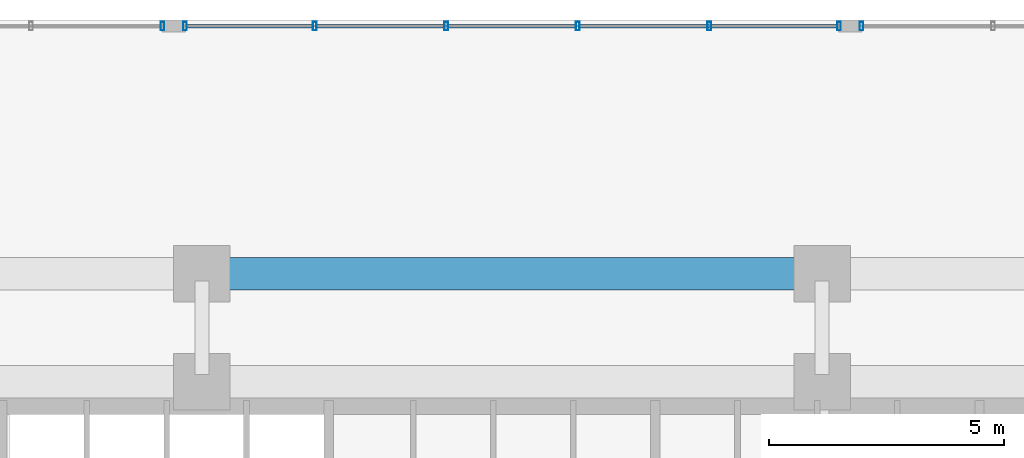
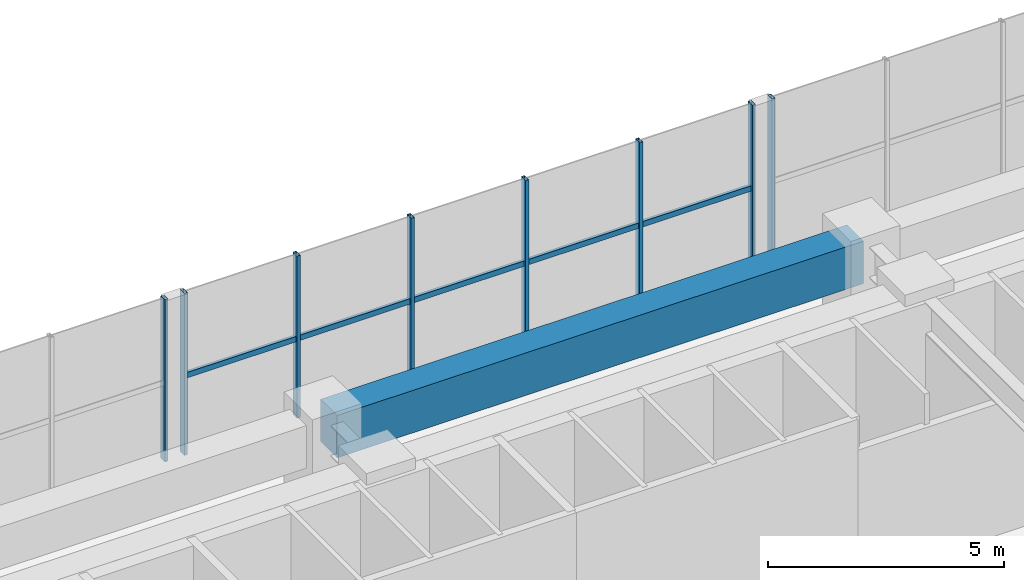
# One storey, part 10 of 24: 13 members, 1 beam, 3 elements without a shape of their own.
"""IFC4 building model written with IfcOpenShell, lengths in metres."""

from ifc_helpers import new_model, si_unit, direction, frame, origin, origin_2d, place, context, subcontext, project, spatial, rectangle, hollow_rectangle, extrude, source, transform, mapped, material, material_profile, profile_set, type_object, element, aggregate, save


model = new_model("IFC4")

# Units and contexts
model_context = context("Model", 3, precision=1e-05, world=origin(), true_north=direction((0.0, 1.0)))
body_context = subcontext(model_context, "Body", "Model", "MODEL_VIEW")
ifc_project = project(units=[si_unit("LENGTHUNIT", "METRE"), si_unit("AREAUNIT", "SQUARE_METRE"), si_unit("VOLUMEUNIT", "CUBIC_METRE"), si_unit("PLANEANGLEUNIT", "RADIAN"), si_unit("MASSUNIT", "GRAM", prefix="KILO")], contexts=[model_context])

# Site, building, storey
site_placement = place(None, origin())
site = spatial("IfcSite", under=ifc_project, at=site_placement, CompositionType="ELEMENT")
building_placement = place(site_placement, origin())
building = spatial("IfcBuilding", under=site, at=building_placement, Name="Trelvane Seafront Commons", CompositionType="ELEMENT")
storey_placement = place(building_placement, frame((0.0, 0.0, 5.199951171875)))
storey = spatial("IfcBuildingStorey", under=building, at=storey_placement, Name="L01", CompositionType="ELEMENT", Elevation=5.199951171875)

# Beam
ifc_material_1 = material(Name="Concrete C50/60", Category="concrete")
ifc_material_profile_1 = material_profile(ifc_material_1, rectangle(XDim=0.699951171875, YDim=1.10009765625, at=origin_2d()), Name="RC-700x1100")
ifc_profile_set_1 = profile_set([ifc_material_profile_1], Name="Concrete C50/60")
beam_type = type_object("IfcBeamType", Name="STR-TBM-RC700x1100", PredefinedType="T_BEAM", material=ifc_profile_set_1)
shared_shape_1 = source(origin(), body_context, "Body", "SweptSolid", [
    extrude(rectangle(XDim=0.699951171875, YDim=1.10009765625, at=origin_2d()), origin(), (0.0, 0.0, 1.0), 12.89990234375),
])
beam_placement = place(storey_placement, frame((30.75, 47.39990234375, 3.650146484375), z_axis=(1.0, 0.0, 0.0), x_axis=(0.0, 1.0, 0.0)))
element("IfcBeam", 1, at=beam_placement, inside=storey, type_object=beam_type, Name="L01 Primary Girder G-28", PredefinedType="T_BEAM", context=body_context, shape_type="MappedRepresentation", body=[
    mapped(shared_shape_1, transform((0.0, 0.0, 0.0), x_axis=(1.0, 0.0, 0.0), y_axis=(0.0, 1.0, 0.0), z_axis=(0.0, 0.0, 1.0), scale=1.0)),
])

# Curtain wall, member
ifc_material_2 = material(Name="Anodised pale-silver aluminium", Category="aluminium")
curtain_wall_type = type_object("IfcCurtainWallType", Name="ARCH-CW1-PODIUM", PredefinedType="NOTDEFINED", material=ifc_material_2)
curtain_wall_1_placement = place(storey_placement, origin())
curtain_wall_1 = element("IfcCurtainWall", 2, at=curtain_wall_1_placement, inside=storey, type_object=curtain_wall_type, Name="CW-L01-0007", PredefinedType="NOTDEFINED")
ifc_material_profile_2 = material_profile(ifc_material_2, hollow_rectangle(XDim=0.080078125, YDim=0.179931640625, WallThickness=0.00439453125, at=origin_2d()), Name="MULL-80x180x4.5")
ifc_profile_set_2 = profile_set([ifc_material_profile_2], Name="Anodised pale-silver aluminium")
member_type_1 = type_object("IfcMemberType", Name="ARCH-CW-MULL-180", PredefinedType="MULLION", material=ifc_profile_set_2)
shared_shape_2 = source(origin(), body_context, "Body", "SweptSolid", [
    extrude(hollow_rectangle(XDim=0.080078125, YDim=0.179931640625, WallThickness=0.00439453125, at=origin_2d()), origin(), (0.0, 0.0, 1.0), 4.199951171875),
])
member_1_placement = place(storey_placement, frame((29.760009765625, 52.669921875, 0.0), z_axis=(0.0, 0.0, 1.0), x_axis=(1.0, 0.0, 0.0)))
member_1 = element("IfcMember", 3, at=member_1_placement, type_object=member_type_1, Name="CW-L01-0007-M05", PredefinedType="MULLION", context=body_context, shape_type="MappedRepresentation", body=[
    mapped(shared_shape_2, transform((0.0, 0.0, 0.0), x_axis=(1.0, 0.0, 0.0), y_axis=(0.0, 1.0, 0.0), z_axis=(0.0, 0.0, 1.0), scale=1.0)),
])
aggregate(curtain_wall_1, [member_1])

# Curtain wall, members
curtain_wall_2_placement = place(storey_placement, origin())
curtain_wall_2 = element("IfcCurtainWall", 4, at=curtain_wall_2_placement, inside=storey, type_object=curtain_wall_type, Name="CW-L01-0008", PredefinedType="NOTDEFINED")
member_2_placement = place(storey_placement, frame((30.239990234375, 52.669921875, 0.0), z_axis=(0.0, 0.0, 1.0), x_axis=(1.0, 0.0, 0.0)))
member_2 = element("IfcMember", 5, at=member_2_placement, type_object=member_type_1, Name="CW-L01-0008-M00", PredefinedType="MULLION", context=body_context, shape_type="MappedRepresentation", body=[
    mapped(shared_shape_2, transform((0.0, 0.0, 0.0), x_axis=(1.0, 0.0, 0.0), y_axis=(0.0, 1.0, 0.0), z_axis=(0.0, 0.0, 1.0), scale=1.0)),
])
member_3_placement = place(storey_placement, frame((33.0, 52.669921875, 0.0), z_axis=(0.0, 0.0, 1.0), x_axis=(1.0, 0.0, 0.0)))
member_3 = element("IfcMember", 6, at=member_3_placement, type_object=member_type_1, Name="CW-L01-0008-M01", PredefinedType="MULLION", context=body_context, shape_type="MappedRepresentation", body=[
    mapped(shared_shape_2, transform((0.0, 0.0, 0.0), x_axis=(1.0, 0.0, 0.0), y_axis=(0.0, 1.0, 0.0), z_axis=(0.0, 0.0, 1.0), scale=1.0)),
])
member_4_placement = place(storey_placement, frame((35.800048828125, 52.669921875, 0.0), z_axis=(0.0, 0.0, 1.0), x_axis=(1.0, 0.0, 0.0)))
member_4 = element("IfcMember", 7, at=member_4_placement, type_object=member_type_1, Name="CW-L01-0008-M02", PredefinedType="MULLION", context=body_context, shape_type="MappedRepresentation", body=[
    mapped(shared_shape_2, transform((0.0, 0.0, 0.0), x_axis=(1.0, 0.0, 0.0), y_axis=(0.0, 1.0, 0.0), z_axis=(0.0, 0.0, 1.0), scale=1.0)),
])
member_5_placement = place(storey_placement, frame((38.60009765625, 52.669921875, 0.0), z_axis=(0.0, 0.0, 1.0), x_axis=(1.0, 0.0, 0.0)))
member_5 = element("IfcMember", 8, at=member_5_placement, type_object=member_type_1, Name="CW-L01-0008-M03", PredefinedType="MULLION", context=body_context, shape_type="MappedRepresentation", body=[
    mapped(shared_shape_2, transform((0.0, 0.0, 0.0), x_axis=(1.0, 0.0, 0.0), y_axis=(0.0, 1.0, 0.0), z_axis=(0.0, 0.0, 1.0), scale=1.0)),
])
member_6_placement = place(storey_placement, frame((41.39990234375, 52.669921875, 0.0), z_axis=(0.0, 0.0, 1.0), x_axis=(1.0, 0.0, 0.0)))
member_6 = element("IfcMember", 9, at=member_6_placement, type_object=member_type_1, Name="CW-L01-0008-M04", PredefinedType="MULLION", context=body_context, shape_type="MappedRepresentation", body=[
    mapped(shared_shape_2, transform((0.0, 0.0, 0.0), x_axis=(1.0, 0.0, 0.0), y_axis=(0.0, 1.0, 0.0), z_axis=(0.0, 0.0, 1.0), scale=1.0)),
])
member_7_placement = place(storey_placement, frame((44.159912109375, 52.669921875, 0.0), z_axis=(0.0, 0.0, 1.0), x_axis=(1.0, 0.0, 0.0)))
member_7 = element("IfcMember", 10, at=member_7_placement, type_object=member_type_1, Name="CW-L01-0008-M05", PredefinedType="MULLION", context=body_context, shape_type="MappedRepresentation", body=[
    mapped(shared_shape_2, transform((0.0, 0.0, 0.0), x_axis=(1.0, 0.0, 0.0), y_axis=(0.0, 1.0, 0.0), z_axis=(0.0, 0.0, 1.0), scale=1.0)),
])

# Curtain wall, member
curtain_wall_3_placement = place(storey_placement, origin())
curtain_wall_3 = element("IfcCurtainWall", 11, at=curtain_wall_3_placement, inside=storey, type_object=curtain_wall_type, Name="CW-L01-0009", PredefinedType="NOTDEFINED")
member_8_placement = place(storey_placement, frame((44.639892578125, 52.669921875, 0.0), z_axis=(0.0, 0.0, 1.0), x_axis=(1.0, 0.0, 0.0)))
member_8 = element("IfcMember", 12, at=member_8_placement, type_object=member_type_1, Name="CW-L01-0009-M00", PredefinedType="MULLION", context=body_context, shape_type="MappedRepresentation", body=[
    mapped(shared_shape_2, transform((0.0, 0.0, 0.0), x_axis=(1.0, 0.0, 0.0), y_axis=(0.0, 1.0, 0.0), z_axis=(0.0, 0.0, 1.0), scale=1.0)),
])
aggregate(curtain_wall_3, [member_8])

# Member
ifc_material_profile_3 = material_profile(ifc_material_2, hollow_rectangle(XDim=0.074951171875, YDim=0.139892578125, WallThickness=0.00390625, at=origin_2d()), Name="TRAN-75x140x4")
ifc_profile_set_3 = profile_set([ifc_material_profile_3], Name="Anodised pale-silver aluminium")
member_type_2 = type_object("IfcMemberType", Name="ARCH-CW-TRAN-140", PredefinedType="USERDEFINED", material=ifc_profile_set_3)
shared_shape_3 = source(origin(), body_context, "Body", "SweptSolid", [
    extrude(hollow_rectangle(XDim=0.074951171875, YDim=0.139892578125, WallThickness=0.00390625, at=origin_2d()), origin(), (0.0, 0.0, 1.0), 2.776123046875),
])
member_9_placement = place(storey_placement, frame((30.2119140625, 52.669921875, 2.01611328125), z_axis=(1.0, 0.0, 0.0), x_axis=(0.0, 1.0, 0.0)))
member_9 = element("IfcMember", 13, at=member_9_placement, type_object=member_type_2, Name="CW-L01-0008-T00", ObjectType="TRANSOM", PredefinedType="USERDEFINED", context=body_context, shape_type="MappedRepresentation", body=[
    mapped(shared_shape_3, transform((0.0, 0.0, 0.0), x_axis=(1.0, 0.0, 0.0), y_axis=(0.0, 1.0, 0.0), z_axis=(0.0, 0.0, 1.0), scale=1.0)),
])

member_10_placement = place(storey_placement, frame((33.011962890625, 52.669921875, 2.01611328125), z_axis=(1.0, 0.0, 0.0), x_axis=(0.0, 1.0, 0.0)))
member_10 = element("IfcMember", 14, at=member_10_placement, type_object=member_type_2, Name="CW-L01-0008-T01", ObjectType="TRANSOM", PredefinedType="USERDEFINED", context=body_context, shape_type="MappedRepresentation", body=[
    mapped(shared_shape_3, transform((0.0, 0.0, 0.0), x_axis=(1.0, 0.0, 0.0), y_axis=(0.0, 1.0, 0.0), z_axis=(0.0, 0.0, 1.0), scale=1.0)),
])

shared_shape_4 = source(origin(), body_context, "Body", "SweptSolid", [
    extrude(hollow_rectangle(XDim=0.074951171875, YDim=0.139892578125, WallThickness=0.00390625, at=origin_2d()), origin(), (0.0, 0.0, 1.0), 2.77587890625),
])
member_11_placement = place(storey_placement, frame((35.81201171875, 52.669921875, 2.01611328125), z_axis=(1.0, 0.0, 0.0), x_axis=(0.0, 1.0, 0.0)))
member_11 = element("IfcMember", 15, at=member_11_placement, type_object=member_type_2, Name="CW-L01-0008-T02", ObjectType="TRANSOM", PredefinedType="USERDEFINED", context=body_context, shape_type="MappedRepresentation", body=[
    mapped(shared_shape_4, transform((0.0, 0.0, 0.0), x_axis=(1.0, 0.0, 0.0), y_axis=(0.0, 1.0, 0.0), z_axis=(0.0, 0.0, 1.0), scale=1.0)),
])

member_12_placement = place(storey_placement, frame((38.612060546875, 52.669921875, 2.01611328125), z_axis=(1.0, 0.0, 0.0), x_axis=(0.0, 1.0, 0.0)))
member_12 = element("IfcMember", 16, at=member_12_placement, type_object=member_type_2, Name="CW-L01-0008-T03", ObjectType="TRANSOM", PredefinedType="USERDEFINED", context=body_context, shape_type="MappedRepresentation", body=[
    mapped(shared_shape_4, transform((0.0, 0.0, 0.0), x_axis=(1.0, 0.0, 0.0), y_axis=(0.0, 1.0, 0.0), z_axis=(0.0, 0.0, 1.0), scale=1.0)),
])

member_13_placement = place(storey_placement, frame((41.412109375, 52.669921875, 2.01611328125), z_axis=(1.0, 0.0, 0.0), x_axis=(0.0, 1.0, 0.0)))
member_13 = element("IfcMember", 17, at=member_13_placement, type_object=member_type_2, Name="CW-L01-0008-T04", ObjectType="TRANSOM", PredefinedType="USERDEFINED", context=body_context, shape_type="MappedRepresentation", body=[
    mapped(shared_shape_4, transform((0.0, 0.0, 0.0), x_axis=(1.0, 0.0, 0.0), y_axis=(0.0, 1.0, 0.0), z_axis=(0.0, 0.0, 1.0), scale=1.0)),
])

aggregate(curtain_wall_2, [member_2, member_3, member_4, member_5, member_6, member_7, member_9, member_10, member_11, member_12, member_13])

save(model, "model.ifc")
